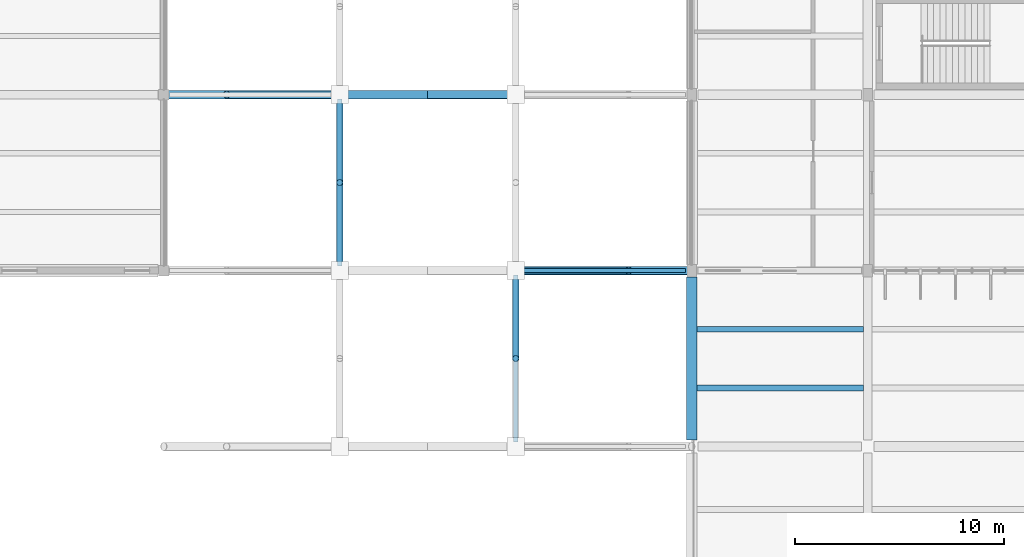
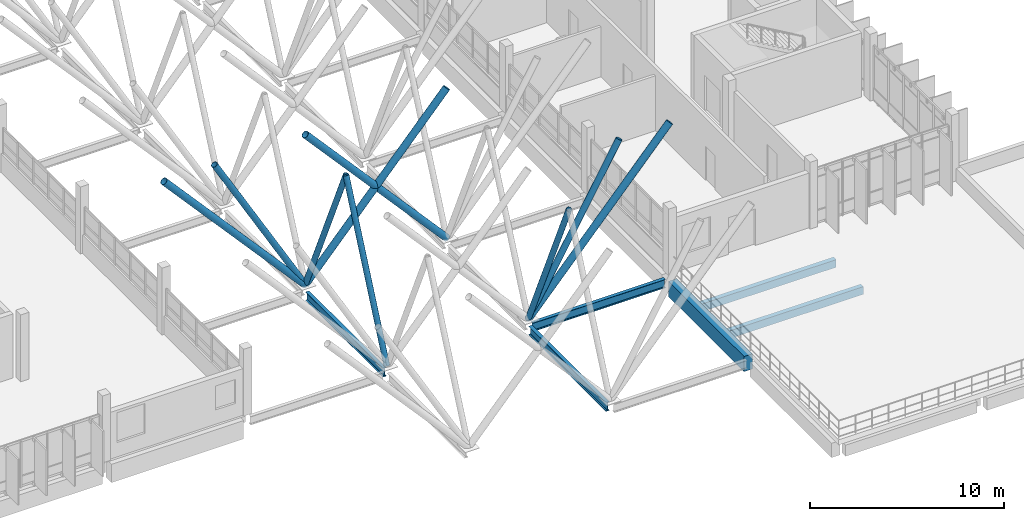
# One storey, part 10 of 107: 9 members, 6 beams.
"""IFC4 building model written with IfcOpenShell, lengths in metres."""

from ifc_helpers import new_model, si_unit, direction, frame, origin, origin_2d, place, context, subcontext, project, spatial, rectangle, hollow_circle, i_section, extrude, material, material_profile, profile_set, type_object, element, save


model = new_model("IFC4")

# Units and contexts
model_context = context("Model", 3, precision=1e-05, world=origin(), true_north=direction((0.0, 1.0)))
body_context = subcontext(model_context, "Body", "Model", "MODEL_VIEW")
ifc_project = project(units=[si_unit("LENGTHUNIT", "METRE"), si_unit("AREAUNIT", "SQUARE_METRE"), si_unit("VOLUMEUNIT", "CUBIC_METRE"), si_unit("PLANEANGLEUNIT", "RADIAN"), si_unit("MASSUNIT", "GRAM", prefix="KILO")], contexts=[model_context])

# Site, building, storey
site_placement = place(None, origin())
site = spatial("IfcSite", under=ifc_project, at=site_placement, CompositionType="ELEMENT")
building_placement = place(site_placement, origin())
building = spatial("IfcBuilding", under=site, at=building_placement, Name="Vireocrest Preparatory School", CompositionType="ELEMENT")
storey_placement = place(building_placement, frame((0.0, 0.0, 13.199951171875)))
storey = spatial("IfcBuildingStorey", under=building, at=storey_placement, Name="L03", CompositionType="ELEMENT", Elevation=13.199951171875)

# Beams
ifc_material_1 = material(Name="Structural steel ASTM A992 Grade 50", Category="steel")
ifc_material_profile_1 = material_profile(ifc_material_1, i_section(OverallWidth=0.208984375, OverallDepth=0.532958984375, WebThickness=0.01025390625, FlangeThickness=0.015625, FilletRadius=0.014892578125, at=origin_2d()), Name="W21X62")
ifc_profile_set_1 = profile_set([ifc_material_profile_1], Name="Structural steel ASTM A992 Grade 50")
beam_type_1 = type_object("IfcBeamType", Name="Court Tie Girder W21X62", PredefinedType="BEAM", material=ifc_profile_set_1)
beam_1_placement = place(storey_placement, frame((84.2236328125, 35.39990234375, -0.56640625), z_axis=(1.0, 0.0, 0.0), x_axis=(0.0, 1.0, 0.0)))
element("IfcBeam", 1, at=beam_1_placement, inside=storey, type_object=beam_type_1, Name="Court Trunk Lateral Tie Girder SB5 E2 L03", PredefinedType="BEAM", context=body_context, shape_type="SweptSolid", body=[
    extrude(i_section(OverallWidth=0.208984375, OverallDepth=0.532958984375, WebThickness=0.01025390625, FlangeThickness=0.015625, FilletRadius=0.014892578125, at=origin_2d()), origin(), (0.0, 0.0, 1.0), 7.88134765625),
])
for number, where, z_axis, x_axis, name in (
    (2, (84.0, 27.219970703125, -0.56640625), (0.0, 1.0, 0.0), (-1.0, 0.0, 0.0), "Court Trunk Spine Girder SB5 E1 L03"),
    (3, (75.60009765625, 35.6201171875, -0.56640625), (0.0, 1.0, 0.0), (-1.0, 0.0, 0.0), "Court Trunk Spine Girder SB5 W2 L03"),
):
    element("IfcBeam", number, at=place(storey_placement, frame(where, z_axis=z_axis, x_axis=x_axis)), inside=storey, type_object=beam_type_1, Name=name, PredefinedType="BEAM", context=body_context, shape_type="SweptSolid", body=[
        extrude(i_section(OverallWidth=0.208984375, OverallDepth=0.532958984375, WebThickness=0.01025390625, FlangeThickness=0.015625, FilletRadius=0.014892578125, at=origin_2d()), origin(), (0.0, 0.0, 1.0), 7.9599609375),
    ])
ifc_material_2 = material(Name="Concrete 40 MPa", Category="concrete")
ifc_material_profile_2 = material_profile(ifc_material_2, rectangle(XDim=0.5, YDim=0.949951171875, at=origin_2d()), Name="RC 500x950")
ifc_profile_set_2 = profile_set([ifc_material_profile_2], Name="Concrete 40 MPa")
beam_type_2 = type_object("IfcBeamType", Name="RC Basement Ceiling Girder 500x950", PredefinedType="BEAM", material=ifc_profile_set_2)
beam_2_placement = place(storey_placement, frame((92.39990234375, 27.300048828125, -0.794921875), z_axis=(0.0, 1.0, 0.0), x_axis=(-1.0, 0.0, 0.0)))
element("IfcBeam", 4, at=beam_2_placement, inside=storey, type_object=beam_type_2, Name="Primary Girder B16 L03-1143", PredefinedType="BEAM", context=body_context, shape_type="SweptSolid", body=[
    extrude(rectangle(XDim=0.5, YDim=0.949951171875, at=origin_2d()), origin(), (0.0, 0.0, 1.0), 7.800048828125),
])
ifc_material_profile_3 = material_profile(ifc_material_2, rectangle(XDim=0.280029296875, YDim=0.47998046875, at=origin_2d()), Name="RC 280x480")
ifc_profile_set_3 = profile_set([ifc_material_profile_3], Name="Concrete 40 MPa")
beam_type_3 = type_object("IfcBeamType", Name="RC Secondary Lab Joist 280x480", PredefinedType="JOIST", material=ifc_profile_set_3)
for number, where, z_axis, x_axis, name in (
    (5, (92.64990234375, 29.800048828125, -0.56005859375), (1.0, 0.0, 0.0), (0.0, 1.0, 0.0), "Secondary Joist J02 L03-1239"),
    (6, (92.64990234375, 32.60009765625, -0.56005859375), (1.0, 0.0, 0.0), (0.0, 1.0, 0.0), "Secondary Joist J02 L03-1240"),
):
    element("IfcBeam", number, at=place(storey_placement, frame(where, z_axis=z_axis, x_axis=x_axis)), inside=storey, type_object=beam_type_3, Name=name, PredefinedType="JOIST", context=body_context, shape_type="SweptSolid", body=[
        extrude(rectangle(XDim=0.280029296875, YDim=0.47998046875, at=origin_2d()), origin(), (0.0, 0.0, 1.0), 7.9501953125),
    ])

# Members
ifc_material_3 = material(Name="Painted white steel ASTM A500 Grade C", Category="steel")
ifc_material_profile_4 = material_profile(ifc_material_3, hollow_circle(Radius=0.161865234375, WallThickness=0.0126953125, at=origin_2d()), Name="HSS12.750X0.500")
ifc_profile_set_4 = profile_set([ifc_material_profile_4], Name="Painted white steel ASTM A500 Grade C")
member_type_1 = type_object("IfcMemberType", Name="White Steel Canopy Tie Strut HSS12.750X0.500", PredefinedType="USERDEFINED", material=ifc_profile_set_4)
member_1_placement = place(storey_placement, frame((75.60009765625, 35.39990234375, -0.0048828125), z_axis=(0.0, 0.40723631313, 0.913322826425), x_axis=(-1.0, 0.0, 0.0)))
element("IfcMember", 7, at=member_1_placement, inside=storey, type_object=member_type_1, Name="Longitudinal V-Strut VS2 W2-N", ObjectType="STRUT", PredefinedType="USERDEFINED", context=body_context, shape_type="SweptSolid", body=[
    extrude(hollow_circle(Radius=0.161865234375, WallThickness=0.0126953125, at=origin_2d()), origin(), (0.0, 0.0, 1.0), 10.31396484375),
])
for number, where, z_axis, x_axis, name in (
    (8, (84.0, 35.39990234375, -0.0048828125), (0.0, -0.407216567456, 0.913331630455), (1.0, 0.0, 0.0), "Longitudinal V-Strut VS2 E2-S"),
    (9, (75.60009765625, 43.800048828125, -0.0048828125), (0.0, -0.407216567456, 0.913331630455), (1.0, 0.0, 0.0), "Longitudinal V-Strut VS2 W3-S"),
):
    element("IfcMember", number, at=place(storey_placement, frame(where, z_axis=z_axis, x_axis=x_axis)), inside=storey, type_object=member_type_1, Name=name, ObjectType="STRUT", PredefinedType="USERDEFINED", context=body_context, shape_type="SweptSolid", body=[
        extrude(hollow_circle(Radius=0.161865234375, WallThickness=0.0126953125, at=origin_2d()), origin(), (0.0, 0.0, 1.0), 10.313720703125),
    ])
ifc_material_profile_5 = material_profile(ifc_material_3, hollow_circle(Radius=0.177734375, WallThickness=0.0126953125, at=origin_2d()), Name="HSS14.000X0.500")
ifc_profile_set_5 = profile_set([ifc_material_profile_5], Name="Painted white steel ASTM A500 Grade C")
member_type_2 = type_object("IfcMemberType", Name="White Steel Canopy V-Strut HSS14.000X0.500", PredefinedType="USERDEFINED", material=ifc_profile_set_5)
member_2_placement = place(storey_placement, frame((84.0, 35.39990234375, -0.010009765625), z_axis=(0.496917813622, 0.0, 0.867797606879), x_axis=(0.0, 1.0, 0.0)))
element("IfcMember", 10, at=member_2_placement, inside=storey, type_object=member_type_2, Name="White Steel V-Strut VS1 E2", ObjectType="STRUT", PredefinedType="USERDEFINED", context=body_context, shape_type="SweptSolid", body=[
    extrude(hollow_circle(Radius=0.177734375, WallThickness=0.0126953125, at=origin_2d()), origin(), (0.0, 0.0, 1.0), 10.86669921875),
])
member_3_placement = place(storey_placement, frame((75.60009765625, 43.800048828125, -0.010009765625), z_axis=(-0.496934732374, 0.0, 0.867787918653), x_axis=(0.0, -1.0, 0.0)))
element("IfcMember", 11, at=member_3_placement, inside=storey, type_object=member_type_2, Name="White Steel V-Strut VS1 W3", ObjectType="STRUT", PredefinedType="USERDEFINED", context=body_context, shape_type="SweptSolid", body=[
    extrude(hollow_circle(Radius=0.177734375, WallThickness=0.0126953125, at=origin_2d()), origin(), (0.0, 0.0, 1.0), 10.866943359375),
])
ifc_material_profile_6 = material_profile(ifc_material_3, hollow_circle(Radius=0.203125, WallThickness=0.0126953125, at=origin_2d()), Name="HSS16.000X0.500")
ifc_profile_set_6 = profile_set([ifc_material_profile_6], Name="Painted white steel ASTM A500 Grade C")
member_type_3 = type_object("IfcMemberType", Name="White Steel V-Column Branch HSS16.000X0.500", PredefinedType="USERDEFINED", material=ifc_profile_set_6)
for number, where, z_axis, x_axis, name in (
    (12, (84.0, 35.39990234375, -0.010009765625), (0.665138630213, 0.0, 0.746719895676), (0.0, 1.0, 0.0), "White Steel V-Column Branch VC3 E2-A2"),
    (13, (75.60009765625, 43.800048828125, -0.010009765625), (-0.665149409377, 0.0, 0.746710294027), (0.0, -1.0, 0.0), "White Steel V-Column Branch VC3 W3-A1"),
    (14, (75.60009765625, 43.800048828125, -0.010009765625), (0.665138630213, 0.0, 0.746719895676), (0.0, 1.0, 0.0), "White Steel V-Column Branch VC3 W3-A2"),
    (15, (84.0, 43.800048828125, -0.010009765625), (-0.665138630213, 0.0, 0.746719895676), (0.0, -1.0, 0.0), "White Steel V-Column Branch VC3 E3-A1"),
):
    element("IfcMember", number, at=place(storey_placement, frame(where, z_axis=z_axis, x_axis=x_axis)), inside=storey, type_object=member_type_3, Name=name, ObjectType="STRUT", PredefinedType="USERDEFINED", context=body_context, shape_type="SweptSolid", body=[
        extrude(hollow_circle(Radius=0.203125, WallThickness=0.0126953125, at=origin_2d()), origin(), (0.0, 0.0, 1.0), 12.62890625),
    ])

save(model, "model.ifc")
